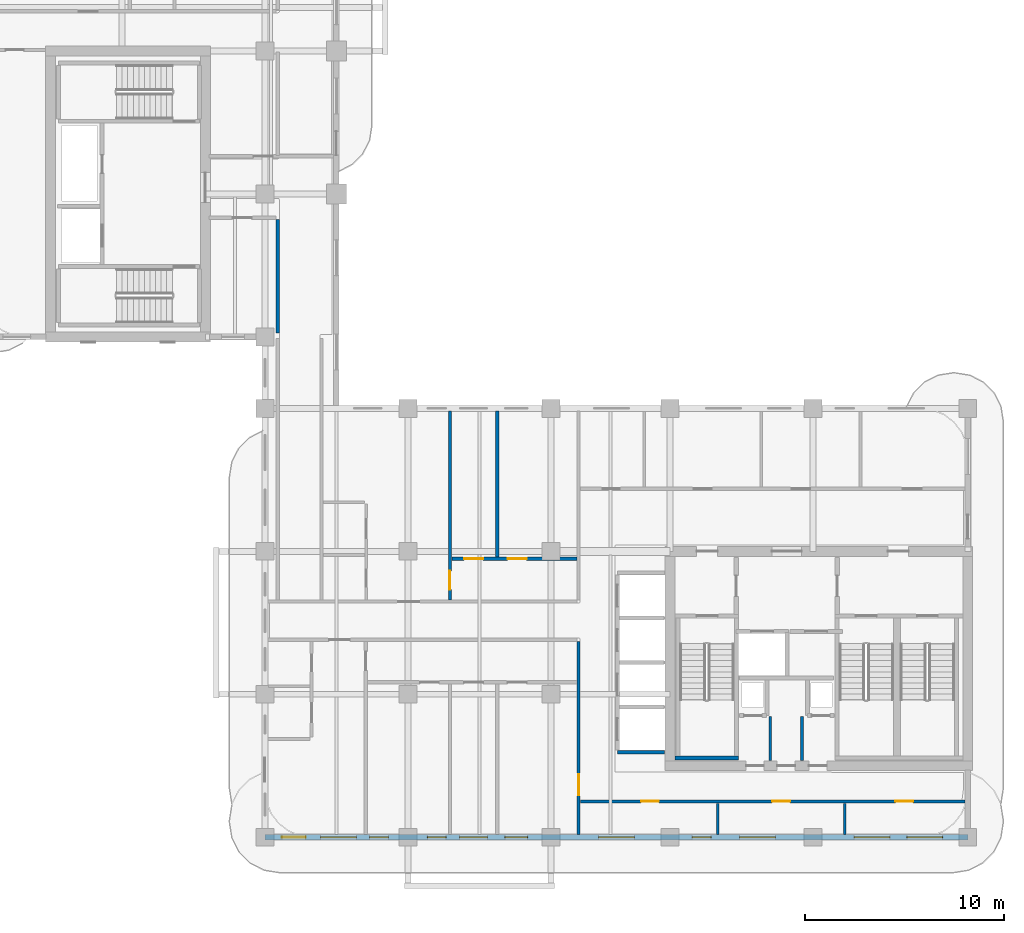
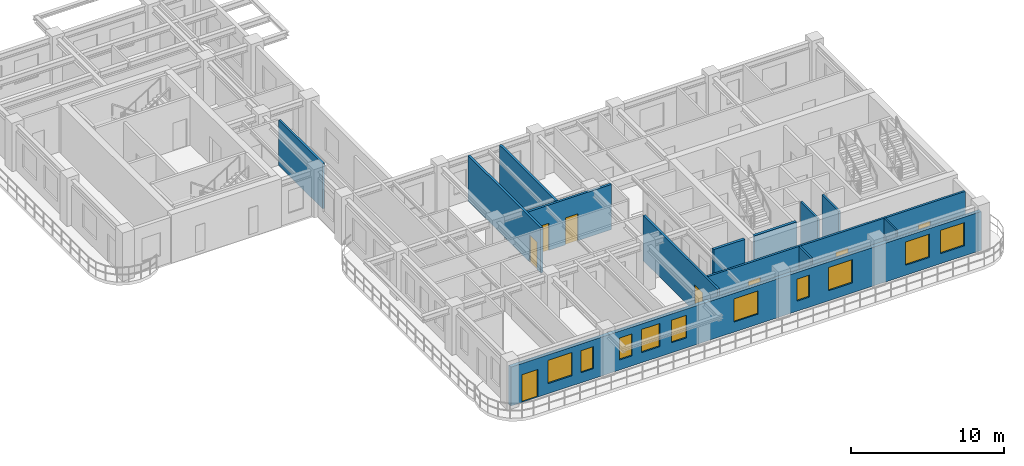
# One storey, part 5 of 14: 13 walls, 10 windows, 8 doors, 18 openings.
"""IFC4 building model written with IfcOpenShell, lengths in metres."""

from ifc_helpers import new_model, si_unit, derived_unit, direction, frame, frame_2d, origin, place, context, subcontext, project, spatial, rectangle, extrude, source, transform, mapped, material, layer, layer_set, type_object, type_shapes, element, fill, save


model = new_model("IFC4")

# Units and contexts
model_context = context("Model", 3, precision=1e-05, world=origin(), true_north=direction((0.0, 1.0)))
body_context = subcontext(model_context, "Body", "Model", "MODEL_VIEW")
ifc_project = project(units=[si_unit("LENGTHUNIT", "METRE"), si_unit("AREAUNIT", "SQUARE_METRE"), si_unit("VOLUMEUNIT", "CUBIC_METRE"), si_unit("PLANEANGLEUNIT", "RADIAN"), si_unit("MASSUNIT", "GRAM", prefix="KILO"), si_unit("THERMODYNAMICTEMPERATUREUNIT", "KELVIN"), si_unit("POWERUNIT", "WATT"), derived_unit("THERMALTRANSMITTANCEUNIT", [(si_unit("POWERUNIT", "WATT"), 1), (si_unit("AREAUNIT", "SQUARE_METRE"), -1), (si_unit("THERMODYNAMICTEMPERATUREUNIT", "KELVIN"), -1)])], contexts=[model_context])

# Site, building, storey
site_placement = place(None, origin())
site = spatial("IfcSite", under=ifc_project, at=site_placement, CompositionType="ELEMENT")
building_placement = place(site_placement, origin())
building = spatial("IfcBuilding", under=site, at=building_placement, Name="Zahravan Archway Hotel and Residences", CompositionType="ELEMENT")
storey_placement = place(building_placement, frame((0.0, 0.0, 205.75)))
storey = spatial("IfcBuildingStorey", under=building, at=storey_placement, Name="L51", CompositionType="ELEMENT", Elevation=205.75)

# Wall, openings, door, windows
ifc_material_1 = material(Name="Honed Red-Ochre Sandstone & Insulated Block", Category="masonry")
ifc_layer_1 = layer(ifc_material_1, 0.280029296875, Name="Honed Red-Ochre Sandstone & Insulated Block", Category="masonry")
ifc_layer_set_1 = layer_set([ifc_layer_1], Name="Honed Red-Ochre Sandstone & Insulated Block")
wall_type_1 = type_object("IfcWallType", Name="EW-LOG-280", PredefinedType="SOLIDWALL", material=ifc_layer_set_1)
wall_1_placement = place(storey_placement, frame((14.39990234375, 0.0, 0.0), z_axis=(0.0, 0.0, 1.0), x_axis=(1.0, 0.0, 0.0)))
wall_1 = element("IfcWall", 1, at=wall_1_placement, inside=storey, type_object=wall_type_1, Name="L51 Exterior Sandstone Wall WA-S", PredefinedType="SOLIDWALL", context=body_context, shape_type="SweptSolid", body=[
    extrude(rectangle(XDim=35.400146484375, YDim=0.280029296875, at=frame_2d((17.7001953125, 0.0))), origin(), (0.0, 0.0, 1.0), 3.0849609375),
])
opening_1_placement = place(wall_1_placement, frame((0.85009765625, 0.0, 0.0)))
opening_1 = element("IfcOpeningElement", 2, at=opening_1_placement, cuts=wall_1, Name="Opening ED-BL1", PredefinedType="OPENING", context=body_context, shape_type="SweptSolid", body=[
    extrude(rectangle(XDim=1.199951171875, YDim=2.199951171875, at=frame_2d((0.60009765625, 1.10009765625))), frame((0.0, 0.14990234375, 0.0), z_axis=(0.0, -1.0, 0.0), x_axis=(1.0, 0.0, 0.0)), (0.0, 0.0, 1.0), 0.300048828125),
])
opening_2_placement = place(wall_1_placement, frame((2.81103515625, 0.0, 0.800048828125)))
opening_2 = element("IfcOpeningElement", 3, at=opening_2_placement, cuts=wall_1, Name="Opening W-02", PredefinedType="OPENING", context=body_context, shape_type="SweptSolid", body=[
    extrude(rectangle(XDim=1.800048828125, YDim=1.85009765625, at=frame_2d((0.89990234375, 0.925048828125))), frame((0.0, 0.14990234375, 0.0), z_axis=(0.0, -1.0, 0.0), x_axis=(1.0, 0.0, 0.0)), (0.0, 0.0, 1.0), 0.300048828125),
])
opening_3_placement = place(wall_1_placement, frame((5.26904296875, 0.0, 0.800048828125)))
opening_3 = element("IfcOpeningElement", 4, at=opening_3_placement, cuts=wall_1, Name="Opening W-04", PredefinedType="OPENING", context=body_context, shape_type="SweptSolid", body=[
    extrude(rectangle(XDim=0.949951171875, YDim=1.75, at=frame_2d((0.47509765625, 0.875))), frame((0.0, 0.14990234375, 0.0), z_axis=(0.0, -1.0, 0.0), x_axis=(1.0, 0.0, 0.0)), (0.0, 0.0, 1.0), 0.300048828125),
])
opening_4_placement = place(wall_1_placement, frame((8.180908203125, 0.0, 0.800048828125)))
opening_4 = element("IfcOpeningElement", 5, at=opening_4_placement, cuts=wall_1, Name="Opening W-04", PredefinedType="OPENING", context=body_context, shape_type="SweptSolid", body=[
    extrude(rectangle(XDim=0.949951171875, YDim=1.75, at=frame_2d((0.47509765625, 0.875))), frame((0.0, 0.14990234375, 0.0), z_axis=(0.0, -1.0, 0.0), x_axis=(1.0, 0.0, 0.0)), (0.0, 0.0, 1.0), 0.300048828125),
])
opening_5_placement = place(wall_1_placement, frame((9.81005859375, 0.0, 0.800048828125)))
opening_5 = element("IfcOpeningElement", 6, at=opening_5_placement, cuts=wall_1, Name="Opening W-03", PredefinedType="OPENING", context=body_context, shape_type="SweptSolid", body=[
    extrude(rectangle(XDim=1.39990234375, YDim=1.85009765625, at=frame_2d((0.699951171875, 0.925048828125))), frame((0.0, 0.14990234375, 0.0), z_axis=(0.0, -1.0, 0.0), x_axis=(1.0, 0.0, 0.0)), (0.0, 0.0, 1.0), 0.300048828125),
])
opening_6_placement = place(wall_1_placement, frame((12.0791015625, 0.0, 0.800048828125)))
opening_6 = element("IfcOpeningElement", 7, at=opening_6_placement, cuts=wall_1, Name="Opening W-05", PredefinedType="OPENING", context=body_context, shape_type="SweptSolid", body=[
    extrude(rectangle(XDim=1.14990234375, YDim=1.800048828125, at=frame_2d((0.574951171875, 0.89990234375))), frame((0.0, 0.14990234375, 0.0), z_axis=(0.0, -1.0, 0.0), x_axis=(1.0, 0.0, 0.0)), (0.0, 0.0, 1.0), 0.300048828125),
])
opening_7_placement = place(wall_1_placement, frame((16.803955078125, 0.0, 0.800048828125)))
opening_7 = element("IfcOpeningElement", 8, at=opening_7_placement, cuts=wall_1, Name="Opening W-02", PredefinedType="OPENING", context=body_context, shape_type="SweptSolid", body=[
    extrude(rectangle(XDim=1.800048828125, YDim=1.85009765625, at=frame_2d((0.89990234375, 0.925048828125))), frame((0.0, 0.14990234375, 0.0), z_axis=(0.0, -1.0, 0.0), x_axis=(1.0, 0.0, 0.0)), (0.0, 0.0, 1.0), 0.300048828125),
])
opening_8_placement = place(wall_1_placement, frame((21.52099609375, 0.0, 0.800048828125)))
opening_8 = element("IfcOpeningElement", 9, at=opening_8_placement, cuts=wall_1, Name="Opening W-04", PredefinedType="OPENING", context=body_context, shape_type="SweptSolid", body=[
    extrude(rectangle(XDim=0.949951171875, YDim=1.75, at=frame_2d((0.47509765625, 0.875))), frame((0.0, 0.14990234375, 0.0), z_axis=(0.0, -1.0, 0.0), x_axis=(1.0, 0.0, 0.0)), (0.0, 0.0, 1.0), 0.300048828125),
])
opening_9_placement = place(wall_1_placement, frame((23.904052734375, 0.0, 0.800048828125)))
opening_9 = element("IfcOpeningElement", 10, at=opening_9_placement, cuts=wall_1, Name="Opening W-02", PredefinedType="OPENING", context=body_context, shape_type="SweptSolid", body=[
    extrude(rectangle(XDim=1.800048828125, YDim=1.85009765625, at=frame_2d((0.89990234375, 0.925048828125))), frame((0.0, 0.14990234375, 0.0), z_axis=(0.0, -1.0, 0.0), x_axis=(1.0, 0.0, 0.0)), (0.0, 0.0, 1.0), 0.300048828125),
])
opening_10_placement = place(wall_1_placement, frame((29.680908203125, 0.0, 0.800048828125)))
opening_10 = element("IfcOpeningElement", 11, at=opening_10_placement, cuts=wall_1, Name="Opening W-02", PredefinedType="OPENING", context=body_context, shape_type="SweptSolid", body=[
    extrude(rectangle(XDim=1.800048828125, YDim=1.85009765625, at=frame_2d((0.89990234375, 0.925048828125))), frame((0.0, 0.14990234375, 0.0), z_axis=(0.0, -1.0, 0.0), x_axis=(1.0, 0.0, 0.0)), (0.0, 0.0, 1.0), 0.300048828125),
])
opening_11_placement = place(wall_1_placement, frame((32.326904296875, 0.0, 0.800048828125)))
opening_11 = element("IfcOpeningElement", 12, at=opening_11_placement, cuts=wall_1, Name="Opening W-02", PredefinedType="OPENING", context=body_context, shape_type="SweptSolid", body=[
    extrude(rectangle(XDim=1.800048828125, YDim=1.85009765625, at=frame_2d((0.89990234375, 0.925048828125))), frame((0.0, 0.14990234375, 0.0), z_axis=(0.0, -1.0, 0.0), x_axis=(1.0, 0.0, 0.0)), (0.0, 0.0, 1.0), 0.300048828125),
])
ifc_material_2 = material(Name="Bronze-Anodized Glazed Aluminium", Category="aluminium")
door_type_1 = type_object("IfcDoorType", Name="ED-BALC-1200", OperationType="SLIDING_TO_LEFT", PredefinedType="DOOR", material=ifc_material_2)
shared_shape_1 = source(origin(), body_context, "Body", "SweptSolid", [
    extrude(rectangle(XDim=1.199951171875, YDim=2.199951171875, at=frame_2d((0.60009765625, 1.10009765625))), frame((0.0, 0.02490234375, 0.0), z_axis=(0.0, -1.0, 0.0), x_axis=(1.0, 0.0, 0.0)), (0.0, 0.0, 1.0), 0.050048828125),
])
type_shapes(door_type_1, [shared_shape_1])
door_1_placement = place(opening_1_placement, origin())
door_1 = element("IfcDoor", 13, at=door_1_placement, inside=storey, type_object=door_type_1, Name="L51 Outdoor Access Sliding Door (SLB-BAL-L51-SA)", OperationType="SLIDING_TO_LEFT", OverallHeight=2.199951171875, OverallWidth=1.199951171875, PredefinedType="DOOR", context=body_context, shape_type="MappedRepresentation", body=[
    mapped(shared_shape_1, transform((0.0, 0.0, 0.0), scale=1.0)),
])
fill(opening_1, door_1)
ifc_material_3 = material(Name="Bronze-Anodized Thermal-Break Aluminium & Low-E Glass", Category="aluminium")
window_type_1 = type_object("IfcWindowType", Name="WIN-TWR-1400", PartitioningType="SINGLE_PANEL", PredefinedType="WINDOW", material=ifc_material_3)
shared_shape_2 = source(origin(), body_context, "Body", "SweptSolid", [
    extrude(rectangle(XDim=1.39990234375, YDim=1.85009765625, at=frame_2d((0.699951171875, 0.925048828125))), frame((0.0, 0.030029296875, 0.0), z_axis=(0.0, -1.0, 0.0), x_axis=(1.0, 0.0, 0.0)), (0.0, 0.0, 1.0), 0.06005859375),
])
type_shapes(window_type_1, [shared_shape_2])
window_1_placement = place(opening_5_placement, origin())
window_1 = element("IfcWindow", 14, at=window_1_placement, inside=storey, type_object=window_type_1, Name="L51 Loggia Window 04", OverallHeight=1.85009765625, OverallWidth=1.39990234375, PartitioningType="SINGLE_PANEL", PredefinedType="WINDOW", context=body_context, shape_type="MappedRepresentation", body=[
    mapped(shared_shape_2, transform((0.0, 0.0, 0.0), scale=1.0)),
])
fill(opening_5, window_1)
window_type_2 = type_object("IfcWindowType", Name="WIN-NAR-950", PartitioningType="SINGLE_PANEL", PredefinedType="WINDOW", material=ifc_material_3)
shared_shape_3 = source(origin(), body_context, "Body", "SweptSolid", [
    extrude(rectangle(XDim=0.949951171875, YDim=1.75, at=frame_2d((0.47509765625, 0.875))), frame((0.0, 0.030029296875, 0.0), z_axis=(0.0, -1.0, 0.0), x_axis=(1.0, 0.0, 0.0)), (0.0, 0.0, 1.0), 0.06005859375),
])
type_shapes(window_type_2, [shared_shape_3])
window_2_placement = place(opening_3_placement, origin())
window_2 = element("IfcWindow", 15, at=window_2_placement, inside=storey, type_object=window_type_2, Name="L51 Loggia Window 02", OverallHeight=1.75, OverallWidth=0.949951171875, PartitioningType="SINGLE_PANEL", PredefinedType="WINDOW", context=body_context, shape_type="MappedRepresentation", body=[
    mapped(shared_shape_3, transform((0.0, 0.0, 0.0), scale=1.0)),
])
fill(opening_3, window_2)
window_3_placement = place(opening_4_placement, origin())
window_3 = element("IfcWindow", 16, at=window_3_placement, inside=storey, type_object=window_type_2, Name="L51 Loggia Window 03", OverallHeight=1.75, OverallWidth=0.949951171875, PartitioningType="SINGLE_PANEL", PredefinedType="WINDOW", context=body_context, shape_type="MappedRepresentation", body=[
    mapped(shared_shape_3, transform((0.0, 0.0, 0.0), scale=1.0)),
])
fill(opening_4, window_3)
window_4_placement = place(opening_8_placement, origin())
window_4 = element("IfcWindow", 17, at=window_4_placement, inside=storey, type_object=window_type_2, Name="L51 Loggia Window 07", OverallHeight=1.75, OverallWidth=0.949951171875, PartitioningType="SINGLE_PANEL", PredefinedType="WINDOW", context=body_context, shape_type="MappedRepresentation", body=[
    mapped(shared_shape_3, transform((0.0, 0.0, 0.0), scale=1.0)),
])
fill(opening_8, window_4)
window_type_3 = type_object("IfcWindowType", Name="WIN-TWR-1800", PartitioningType="DOUBLE_PANEL_VERTICAL", PredefinedType="WINDOW", material=ifc_material_3)
shared_shape_4 = source(origin(), body_context, "Body", "SweptSolid", [
    extrude(rectangle(XDim=1.800048828125, YDim=1.85009765625, at=frame_2d((0.89990234375, 0.925048828125))), frame((0.0, 0.030029296875, 0.0), z_axis=(0.0, -1.0, 0.0), x_axis=(1.0, 0.0, 0.0)), (0.0, 0.0, 1.0), 0.06005859375),
])
type_shapes(window_type_3, [shared_shape_4])
window_5_placement = place(opening_2_placement, origin())
window_5 = element("IfcWindow", 18, at=window_5_placement, inside=storey, type_object=window_type_3, Name="L51 Loggia Window 01", OverallHeight=1.85009765625, OverallWidth=1.800048828125, PartitioningType="DOUBLE_PANEL_VERTICAL", PredefinedType="WINDOW", context=body_context, shape_type="MappedRepresentation", body=[
    mapped(shared_shape_4, transform((0.0, 0.0, 0.0), scale=1.0)),
])
fill(opening_2, window_5)
window_6_placement = place(opening_7_placement, origin())
window_6 = element("IfcWindow", 19, at=window_6_placement, inside=storey, type_object=window_type_3, Name="L51 Loggia Window 06", OverallHeight=1.85009765625, OverallWidth=1.800048828125, PartitioningType="DOUBLE_PANEL_VERTICAL", PredefinedType="WINDOW", context=body_context, shape_type="MappedRepresentation", body=[
    mapped(shared_shape_4, transform((0.0, 0.0, 0.0), scale=1.0)),
])
fill(opening_7, window_6)
window_7_placement = place(opening_9_placement, origin())
window_7 = element("IfcWindow", 20, at=window_7_placement, inside=storey, type_object=window_type_3, Name="L51 Loggia Window 08", OverallHeight=1.85009765625, OverallWidth=1.800048828125, PartitioningType="DOUBLE_PANEL_VERTICAL", PredefinedType="WINDOW", context=body_context, shape_type="MappedRepresentation", body=[
    mapped(shared_shape_4, transform((0.0, 0.0, 0.0), scale=1.0)),
])
fill(opening_9, window_7)
window_8_placement = place(opening_10_placement, origin())
window_8 = element("IfcWindow", 21, at=window_8_placement, inside=storey, type_object=window_type_3, Name="L51 Loggia Window 09", OverallHeight=1.85009765625, OverallWidth=1.800048828125, PartitioningType="DOUBLE_PANEL_VERTICAL", PredefinedType="WINDOW", context=body_context, shape_type="MappedRepresentation", body=[
    mapped(shared_shape_4, transform((0.0, 0.0, 0.0), scale=1.0)),
])
fill(opening_10, window_8)
window_9_placement = place(opening_11_placement, origin())
window_9 = element("IfcWindow", 22, at=window_9_placement, inside=storey, type_object=window_type_3, Name="L51 Loggia Window 10", OverallHeight=1.85009765625, OverallWidth=1.800048828125, PartitioningType="DOUBLE_PANEL_VERTICAL", PredefinedType="WINDOW", context=body_context, shape_type="MappedRepresentation", body=[
    mapped(shared_shape_4, transform((0.0, 0.0, 0.0), scale=1.0)),
])
fill(opening_11, window_9)
window_type_4 = type_object("IfcWindowType", Name="WIN-TWR-1150", PartitioningType="SINGLE_PANEL", PredefinedType="WINDOW", material=ifc_material_3)
shared_shape_5 = source(origin(), body_context, "Body", "SweptSolid", [
    extrude(rectangle(XDim=1.14990234375, YDim=1.800048828125, at=frame_2d((0.574951171875, 0.89990234375))), frame((0.0, 0.030029296875, 0.0), z_axis=(0.0, -1.0, 0.0), x_axis=(1.0, 0.0, 0.0)), (0.0, 0.0, 1.0), 0.06005859375),
])
type_shapes(window_type_4, [shared_shape_5])
window_10_placement = place(opening_6_placement, origin())
window_10 = element("IfcWindow", 23, at=window_10_placement, inside=storey, type_object=window_type_4, Name="L51 Loggia Window 05", OverallHeight=1.800048828125, OverallWidth=1.14990234375, PartitioningType="SINGLE_PANEL", PredefinedType="WINDOW", context=body_context, shape_type="MappedRepresentation", body=[
    mapped(shared_shape_5, transform((0.0, 0.0, 0.0), scale=1.0)),
])
fill(opening_6, window_10)

# Wall, opening, door
ifc_material_4 = material(Name="Fire-Rated Gypsum & Concrete Block", Category="concrete")
ifc_layer_2 = layer(ifc_material_4, 0.159912109375, Name="Fire-Rated Gypsum & Concrete Block", Category="concrete")
ifc_layer_set_2 = layer_set([ifc_layer_2], Name="Fire-Rated Gypsum & Concrete Block")
wall_type_2 = type_object("IfcWallType", Name="PW-CORR-160", PredefinedType="PARTITIONING", material=ifc_layer_set_2)
wall_2_placement = place(storey_placement, frame((30.199951171875, 0.14794921875, 0.0), z_axis=(0.0, 0.0, 1.0), x_axis=(0.0, 1.0, 0.0)))
wall_2 = element("IfcWall", 24, at=wall_2_placement, inside=storey, type_object=wall_type_2, Name="L51 Partition WA-SRW", PredefinedType="PARTITIONING", context=body_context, shape_type="SweptSolid", body=[
    extrude(rectangle(XDim=9.712158203125, YDim=0.159912109375, at=frame_2d((4.85595703125, 0.0))), origin(), (0.0, 0.0, 1.0), 3.60009765625),
])
opening_12_placement = place(wall_2_placement, frame((1.97705078125, 0.0, 0.0)))
opening_12 = element("IfcOpeningElement", 25, at=opening_12_placement, cuts=wall_2, Name="Opening FD-L2", PredefinedType="OPENING", context=body_context, shape_type="SweptSolid", body=[
    extrude(rectangle(XDim=1.050048828125, YDim=2.14990234375, at=frame_2d((0.52490234375, 1.074951171875))), frame((0.0, 0.08984375, 0.0), z_axis=(0.0, -1.0, 0.0), x_axis=(1.0, 0.0, 0.0)), (0.0, 0.0, 1.0), 0.179931640625),
])
ifc_material_5 = material(Name="Fire-Rated Painted Steel", Category="steel")
door_type_2 = type_object("IfcDoorType", Name="FD-LOBBY-1100", OperationType="NOTDEFINED", PredefinedType="DOOR", material=ifc_material_5)
shared_shape_6 = source(origin(), body_context, "Body", "SweptSolid", [
    extrude(rectangle(XDim=1.050048828125, YDim=2.14990234375, at=frame_2d((0.52490234375, 1.074951171875))), frame((0.0, 0.02490234375, 0.0), z_axis=(0.0, -1.0, 0.0), x_axis=(1.0, 0.0, 0.0)), (0.0, 0.0, 1.0), 0.050048828125),
])
type_shapes(door_type_2, [shared_shape_6])
door_2_placement = place(opening_12_placement, origin())
door_2 = element("IfcDoor", 26, at=door_2_placement, inside=storey, type_object=door_type_2, Name="L51 South Riser Corridor Door", OperationType="SINGLE_SWING_RIGHT", OverallHeight=2.14990234375, OverallWidth=1.050048828125, PredefinedType="DOOR", context=body_context, shape_type="MappedRepresentation", body=[
    mapped(shared_shape_6, transform((0.0, 0.0, 0.0), scale=1.0)),
])
fill(opening_12, door_2)

# Wall, openings, doors
wall_3_placement = place(storey_placement, frame((30.2900390625, 1.800048828125, 0.0), z_axis=(0.0, 0.0, 1.0), x_axis=(1.0, 0.0, 0.0)))
wall_3 = element("IfcWall", 27, at=wall_3_placement, inside=storey, type_object=wall_type_2, Name="L51 Partition WA-SRS", PredefinedType="PARTITIONING", context=body_context, shape_type="SweptSolid", body=[
    extrude(rectangle(XDim=19.369873046875, YDim=0.159912109375, at=frame_2d((9.68505859375, 0.0))), origin(), (0.0, 0.0, 1.0), 3.60009765625),
])
opening_13_placement = place(wall_3_placement, frame((3.0537109375, 0.0, 0.0)))
opening_13 = element("IfcOpeningElement", 28, at=opening_13_placement, cuts=wall_3, Name="Opening D-I2", PredefinedType="OPENING", context=body_context, shape_type="SweptSolid", body=[
    extrude(rectangle(XDim=0.89990234375, YDim=2.14990234375, at=frame_2d((0.449951171875, 1.074951171875))), frame((0.0, 0.08984375, 0.0), z_axis=(0.0, -1.0, 0.0), x_axis=(1.0, 0.0, 0.0)), (0.0, 0.0, 1.0), 0.179931640625),
])
opening_14_placement = place(wall_3_placement, frame((9.659912109375, 0.0, 0.0)))
opening_14 = element("IfcOpeningElement", 29, at=opening_14_placement, cuts=wall_3, Name="Opening D-I2", PredefinedType="OPENING", context=body_context, shape_type="SweptSolid", body=[
    extrude(rectangle(XDim=0.89990234375, YDim=2.14990234375, at=frame_2d((0.449951171875, 1.074951171875))), frame((0.0, 0.08984375, 0.0), z_axis=(0.0, -1.0, 0.0), x_axis=(1.0, 0.0, 0.0)), (0.0, 0.0, 1.0), 0.179931640625),
])
opening_15_placement = place(wall_3_placement, frame((15.860107421875, 0.0, 0.0)))
opening_15 = element("IfcOpeningElement", 30, at=opening_15_placement, cuts=wall_3, Name="Opening D-I2", PredefinedType="OPENING", context=body_context, shape_type="SweptSolid", body=[
    extrude(rectangle(XDim=0.89990234375, YDim=2.14990234375, at=frame_2d((0.449951171875, 1.074951171875))), frame((0.0, 0.08984375, 0.0), z_axis=(0.0, -1.0, 0.0), x_axis=(1.0, 0.0, 0.0)), (0.0, 0.0, 1.0), 0.179931640625),
])
ifc_material_6 = material(Name="Hardwood Veneer Timber", Category="wood")
door_type_3 = type_object("IfcDoorType", Name="ID-INT-900", OperationType="NOTDEFINED", PredefinedType="DOOR", material=ifc_material_6)
shared_shape_7 = source(origin(), body_context, "Body", "SweptSolid", [
    extrude(rectangle(XDim=0.89990234375, YDim=2.14990234375, at=frame_2d((0.449951171875, 1.074951171875))), frame((0.0, 0.02490234375, 0.0), z_axis=(0.0, -1.0, 0.0), x_axis=(1.0, 0.0, 0.0)), (0.0, 0.0, 1.0), 0.050048828125),
])
type_shapes(door_type_3, [shared_shape_7])
door_3_placement = place(opening_13_placement, origin())
door_3 = element("IfcDoor", 31, at=door_3_placement, inside=storey, type_object=door_type_3, Name="L51 South Office Door", OperationType="SINGLE_SWING_LEFT", OverallHeight=2.14990234375, OverallWidth=0.89990234375, PredefinedType="DOOR", context=body_context, shape_type="MappedRepresentation", body=[
    mapped(shared_shape_7, transform((0.0, 0.0, 0.0), scale=1.0)),
])
fill(opening_13, door_3)
door_4_placement = place(opening_14_placement, origin())
door_4 = element("IfcDoor", 32, at=door_4_placement, inside=storey, type_object=door_type_3, Name="L51 South Meeting Door", OperationType="SINGLE_SWING_RIGHT", OverallHeight=2.14990234375, OverallWidth=0.89990234375, PredefinedType="DOOR", context=body_context, shape_type="MappedRepresentation", body=[
    mapped(shared_shape_7, transform((0.0, 0.0, 0.0), scale=1.0)),
])
fill(opening_14, door_4)
door_5_placement = place(opening_15_placement, origin())
door_5 = element("IfcDoor", 33, at=door_5_placement, inside=storey, type_object=door_type_3, Name="L51 South Prayer Alcove Door", OperationType="SINGLE_SWING_LEFT", OverallHeight=2.14990234375, OverallWidth=0.89990234375, PredefinedType="DOOR", context=body_context, shape_type="MappedRepresentation", body=[
    mapped(shared_shape_7, transform((0.0, 0.0, 0.0), scale=1.0)),
])
fill(opening_15, door_5)

# Walls
wall_4_placement = place(storey_placement, frame((15.050048828125, 25.389892578125, 0.0), z_axis=(0.0, 0.0, 1.0), x_axis=(0.0, 1.0, 0.0)))
element("IfcWall", 34, at=wall_4_placement, inside=storey, type_object=wall_type_2, Name="L51 Partition FB1-E", PredefinedType="PARTITIONING", context=body_context, shape_type="SweptSolid", body=[
    extrude(rectangle(XDim=5.72021484375, YDim=0.159912109375, at=frame_2d((2.860107421875, 0.0))), origin(), (0.0, 0.0, 1.0), 3.60009765625),
])
ifc_material_7 = material(Name="Acoustic Stud Partition")
ifc_layer_3 = layer(ifc_material_7, 0.125, Name="Acoustic Stud Partition")
ifc_layer_set_3 = layer_set([ifc_layer_3], Name="Acoustic Stud Partition")
wall_type_3 = type_object("IfcWallType", Name="PW-INT-125", PredefinedType="PARTITIONING", material=ifc_layer_set_3)
for number, where, z_axis, x_axis, name in (
    (35, (37.199951171875, 0.14794921875, 0.0), (0.0, 0.0, 1.0), (0.0, 1.0, 0.0), "L51 Partition S-DIV2A"),
    (36, (43.60009765625, 0.14794921875, 0.0), (0.0, 0.0, 1.0), (0.0, 1.0, 0.0), "L51 Partition S-DIV2B"),
):
    element("IfcWall", number, at=place(storey_placement, frame(where, z_axis=z_axis, x_axis=x_axis)), inside=storey, type_object=wall_type_3, Name=name, PredefinedType="PARTITIONING", context=body_context, shape_type="SweptSolid", body=[
        extrude(rectangle(XDim=1.56201171875, YDim=0.125, at=frame_2d((0.781005859375, 0.0))), origin(), (0.0, 0.0, 1.0), 3.60009765625),
    ])
ifc_layer_4 = layer(ifc_material_4, 0.199951171875, Name="Fire-Rated Gypsum & Concrete Block", Category="concrete")
ifc_layer_set_4 = layer_set([ifc_layer_4], Name="Fire-Rated Gypsum & Concrete Block")
wall_type_4 = type_object("IfcWallType", Name="PW-SHAFT-200", PredefinedType="PARTITIONING", material=ifc_layer_set_4)
wall_5_placement = place(storey_placement, frame((32.159912109375, 4.280029296875, 0.0), z_axis=(0.0, 0.0, 1.0), x_axis=(1.0, 0.0, 0.0)))
element("IfcWall", 37, at=wall_5_placement, inside=storey, type_object=wall_type_4, Name="L51 Partition B3-S", PredefinedType="PARTITIONING", context=body_context, shape_type="SweptSolid", body=[
    extrude(rectangle(XDim=2.360107421875, YDim=0.199951171875, at=frame_2d((1.18017578125, 0.0))), origin(), (0.0, 0.0, 1.0), 3.60009765625),
])

# Wall, opening, door
ifc_layer_5 = layer(ifc_material_7, 0.169921875, Name="Acoustic Stud Partition")
ifc_layer_set_5 = layer_set([ifc_layer_5], Name="Acoustic Stud Partition")
wall_type_5 = type_object("IfcWallType", Name="PW-UNIT-170", PredefinedType="PARTITIONING", material=ifc_layer_set_5)
wall_6_placement = place(storey_placement, frame((23.719970703125, 11.9599609375, 0.0), z_axis=(0.0, 0.0, 1.0), x_axis=(0.0, 1.0, 0.0)))
wall_6 = element("IfcWall", 38, at=wall_6_placement, inside=storey, type_object=wall_type_5, Name="L51 Partition FL-HN1-SP", PredefinedType="PARTITIONING", context=body_context, shape_type="SweptSolid", body=[
    extrude(rectangle(XDim=9.5, YDim=0.169921875, at=frame_2d((4.75, 0.0))), origin(), (0.0, 0.0, 1.0), 3.60009765625),
])
opening_16_placement = place(wall_6_placement, frame((0.510009765625, 0.0, 0.0)))
opening_16 = element("IfcOpeningElement", 39, at=opening_16_placement, cuts=wall_6, Name="Opening D-I1", PredefinedType="OPENING", context=body_context, shape_type="SweptSolid", body=[
    extrude(rectangle(XDim=0.949951171875, YDim=2.14990234375, at=frame_2d((0.47509765625, 1.074951171875))), frame((0.0, 0.094970703125, 0.0), z_axis=(0.0, -1.0, 0.0), x_axis=(1.0, 0.0, 0.0)), (0.0, 0.0, 1.0), 0.18994140625),
])
door_type_4 = type_object("IfcDoorType", Name="ID-INT-950", OperationType="NOTDEFINED", PredefinedType="DOOR", material=ifc_material_6)
shared_shape_8 = source(origin(), body_context, "Body", "SweptSolid", [
    extrude(rectangle(XDim=0.949951171875, YDim=2.14990234375, at=frame_2d((0.47509765625, 1.074951171875))), frame((0.0, 0.02490234375, 0.0), z_axis=(0.0, -1.0, 0.0), x_axis=(1.0, 0.0, 0.0)), (0.0, 0.0, 1.0), 0.050048828125),
])
type_shapes(door_type_4, [shared_shape_8])
door_6_placement = place(opening_16_placement, origin())
door_6 = element("IfcDoor", 40, at=door_6_placement, inside=storey, type_object=door_type_4, Name="L51 Flat HN1 Bedroom Hall Door", OperationType="SINGLE_SWING_RIGHT", OverallHeight=2.14990234375, OverallWidth=0.949951171875, PredefinedType="DOOR", context=body_context, shape_type="MappedRepresentation", body=[
    mapped(shared_shape_8, transform((0.0, 0.0, 0.0), scale=1.0)),
])
fill(opening_16, door_6)

# Wall, openings, doors
wall_7_placement = place(storey_placement, frame((23.81005859375, 14.02001953125, 0.0), z_axis=(0.0, 0.0, 1.0), x_axis=(1.0, 0.0, 0.0)))
wall_7 = element("IfcWall", 41, at=wall_7_placement, inside=storey, type_object=wall_type_5, Name="L51 Partition FL-HN1-GH", PredefinedType="PARTITIONING", context=body_context, shape_type="SweptSolid", body=[
    extrude(rectangle(XDim=6.300048828125, YDim=0.169921875, at=frame_2d((3.14990234375, 0.0))), origin(), (0.0, 0.0, 1.0), 3.60009765625),
])
opening_17_placement = place(wall_7_placement, frame((0.625, 0.0, 0.0)))
opening_17 = element("IfcOpeningElement", 42, at=opening_17_placement, cuts=wall_7, Name="Opening D-I1", PredefinedType="OPENING", context=body_context, shape_type="SweptSolid", body=[
    extrude(rectangle(XDim=0.949951171875, YDim=2.14990234375, at=frame_2d((0.47509765625, 1.074951171875))), frame((0.0, 0.094970703125, 0.0), z_axis=(0.0, -1.0, 0.0), x_axis=(1.0, 0.0, 0.0)), (0.0, 0.0, 1.0), 0.18994140625),
])
opening_18_placement = place(wall_7_placement, frame((2.81494140625, 0.0, 0.0)))
opening_18 = element("IfcOpeningElement", 43, at=opening_18_placement, cuts=wall_7, Name="Opening D-I1", PredefinedType="OPENING", context=body_context, shape_type="SweptSolid", body=[
    extrude(rectangle(XDim=0.949951171875, YDim=2.14990234375, at=frame_2d((0.47509765625, 1.074951171875))), frame((0.0, 0.094970703125, 0.0), z_axis=(0.0, -1.0, 0.0), x_axis=(1.0, 0.0, 0.0)), (0.0, 0.0, 1.0), 0.18994140625),
])
door_7_placement = place(opening_17_placement, origin())
door_7 = element("IfcDoor", 44, at=door_7_placement, inside=storey, type_object=door_type_4, Name="L51 Flat HN1 Bedroom 1 Door", OperationType="SINGLE_SWING_LEFT", OverallHeight=2.14990234375, OverallWidth=0.949951171875, PredefinedType="DOOR", context=body_context, shape_type="MappedRepresentation", body=[
    mapped(shared_shape_8, transform((0.0, 0.0, 0.0), scale=1.0)),
])
fill(opening_17, door_7)
door_8_placement = place(opening_18_placement, origin())
door_8 = element("IfcDoor", 45, at=door_8_placement, inside=storey, type_object=door_type_4, Name="L51 Flat HN1 Bedroom 2 Door", OperationType="SINGLE_SWING_LEFT", OverallHeight=2.14990234375, OverallWidth=0.949951171875, PredefinedType="DOOR", context=body_context, shape_type="MappedRepresentation", body=[
    mapped(shared_shape_8, transform((0.0, 0.0, 0.0), scale=1.0)),
])
fill(opening_18, door_8)

# Walls
wall_8_placement = place(storey_placement, frame((26.10009765625, 14.110107421875, 0.0), z_axis=(0.0, 0.0, 1.0), x_axis=(0.0, 1.0, 0.0)))
element("IfcWall", 46, at=wall_8_placement, inside=storey, type_object=wall_type_5, Name="L51 Partition FL-HN1-BD1", PredefinedType="PARTITIONING", context=body_context, shape_type="SweptSolid", body=[
    extrude(rectangle(XDim=7.349853515625, YDim=0.169921875, at=frame_2d((3.6748046875, 0.0))), origin(), (0.0, 0.0, 1.0), 3.60009765625),
])
ifc_material_8 = material(Name="Moisture-Resistant Blockwork", Category="masonry")
ifc_layer_6 = layer(ifc_material_8, 0.139892578125, Name="Moisture-Resistant Blockwork", Category="masonry")
ifc_layer_set_6 = layer_set([ifc_layer_6], Name="Moisture-Resistant Blockwork")
wall_type_6 = type_object("IfcWallType", Name="PW-WET-140", PredefinedType="PARTITIONING", material=ifc_layer_set_6)
for number, where, z_axis, x_axis, name in (
    (47, (39.85009765625, 3.8701171875, 0.0), (0.0, 0.0, 1.0), (0.0, 1.0, 0.0), "L51 Partition CA-CV1A"),
    (48, (41.449951171875, 3.8701171875, 0.0), (0.0, 0.0, 1.0), (0.0, 1.0, 0.0), "L51 Partition CA-CV1B"),
):
    element("IfcWall", number, at=place(storey_placement, frame(where, z_axis=z_axis, x_axis=x_axis)), inside=storey, type_object=wall_type_6, Name=name, PredefinedType="PARTITIONING", context=body_context, shape_type="SweptSolid", body=[
        extrude(rectangle(XDim=2.2099609375, YDim=0.139892578125, at=frame_2d((1.10498046875, 0.0))), origin(), (0.0, 0.0, 1.0), 3.60009765625),
    ])
ifc_material_9 = material(Name="Concrete C50/60", Category="concrete")
ifc_layer_7 = layer(ifc_material_9, 0.199951171875, Name="Concrete C50/60", Category="concrete")
ifc_layer_set_7 = layer_set([ifc_layer_7], Name="Concrete C50/60")
wall_type_7 = type_object("IfcWallType", Name="SW-STAIR-200", PredefinedType="SHEAR", material=ifc_layer_set_7)
wall_9_placement = place(storey_placement, frame((35.050048828125, 4.0, 0.0), z_axis=(0.0, 0.0, 1.0), x_axis=(1.0, 0.0, 0.0)))
element("IfcWall", 49, at=wall_9_placement, inside=storey, type_object=wall_type_7, Name="L51 Stairwell RC Wall CA-SA1S", PredefinedType="SHEAR", context=body_context, shape_type="SweptSolid", body=[
    extrude(rectangle(XDim=3.18994140625, YDim=0.199951171875, at=frame_2d((1.594970703125, 0.0))), origin(), (0.0, 0.0, 1.0), 3.85009765625),
])

save(model, "model.ifc")
